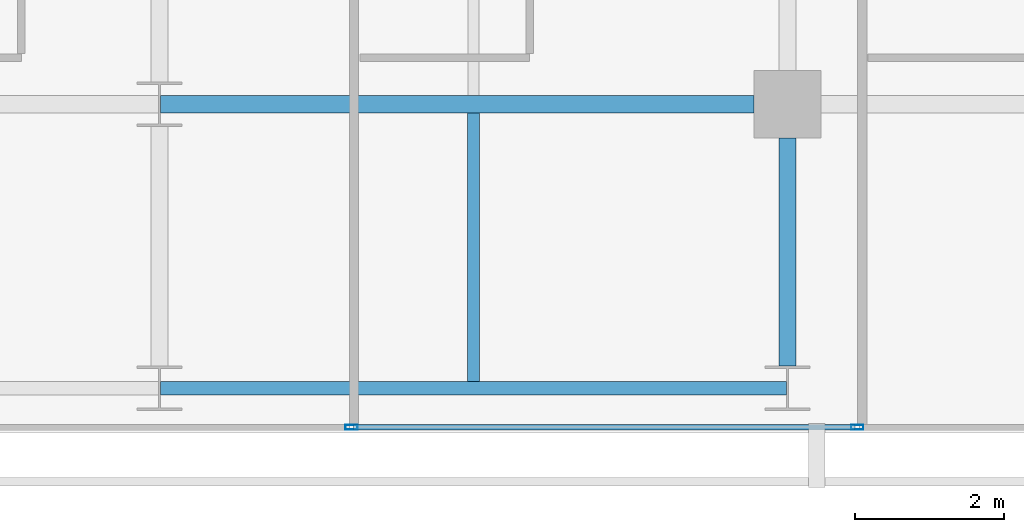
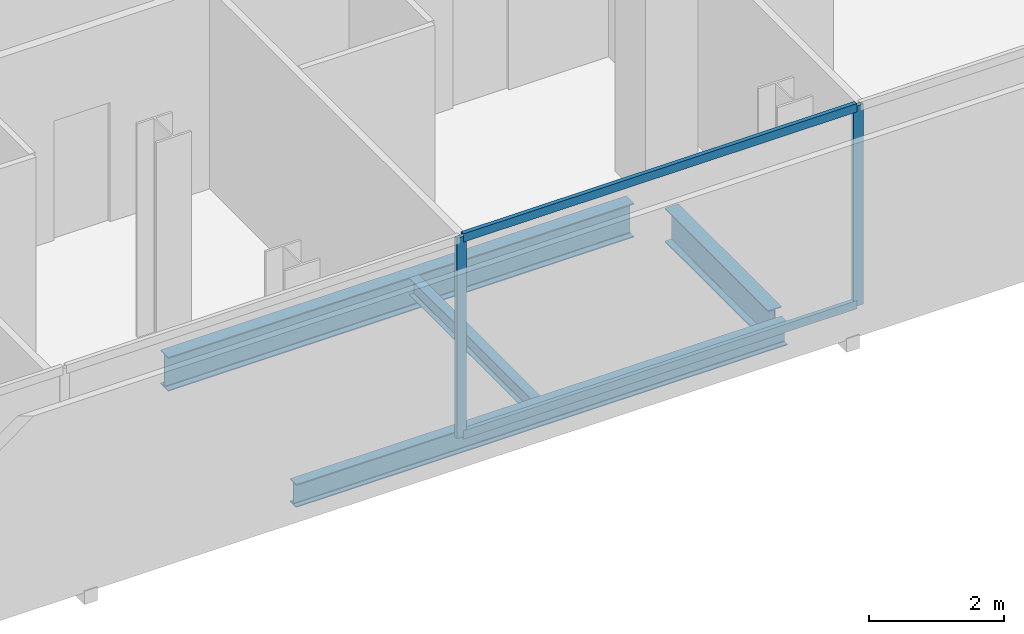
# One storey, part 12 of 33: 4 beams, 4 members, 1 element without a shape of its own.
"""IFC4 building model written with IfcOpenShell, lengths in metres."""

from ifc_helpers import new_model, si_unit, direction, frame, origin, origin_2d, place, context, subcontext, project, spatial, hollow_rectangle, i_section, extrude, material, layer, layer_set, material_profile, profile_set, type_object, element, aggregate, save


model = new_model("IFC4")

# Units and contexts
model_context = context("Model", 3, precision=1e-05, world=origin(), true_north=direction((0.0, 1.0)))
body_context = subcontext(model_context, "Body", "Model", "MODEL_VIEW")
ifc_project = project(units=[si_unit("LENGTHUNIT", "METRE"), si_unit("AREAUNIT", "SQUARE_METRE"), si_unit("VOLUMEUNIT", "CUBIC_METRE"), si_unit("PLANEANGLEUNIT", "RADIAN"), si_unit("MASSUNIT", "GRAM", prefix="KILO")], contexts=[model_context])

# Site, building, storey
site_placement = place(None, origin())
site = spatial("IfcSite", under=ifc_project, at=site_placement, CompositionType="ELEMENT")
building_placement = place(site_placement, origin())
building = spatial("IfcBuilding", under=site, at=building_placement, Name="Maruvema Waterfront Hotel and Observation Tower", CompositionType="ELEMENT")
storey_placement = place(building_placement, frame((0.0, 0.0, 150.5)))
storey = spatial("IfcBuildingStorey", under=building, at=storey_placement, Name="L36", CompositionType="ELEMENT", Elevation=150.5)

# Curtain wall, members
ifc_material_1 = material(Name="Anodised bronze aluminium and solar-control low-E IGU", Category="aluminium")
ifc_layer = layer(ifc_material_1, 0.159912109375, Name="Zone 2 Amber Inner Thermal Curtain Wall System CW-03")
ifc_layer_set = layer_set([ifc_layer], Name="Anodised bronze aluminium and solar-control low-E IGU")
curtain_wall_type = type_object("IfcCurtainWallType", Name="Zone 2 Amber Inner Thermal Curtain Wall System CW-03", PredefinedType="USERDEFINED", material=ifc_layer_set)
curtain_wall_placement = place(storey_placement, origin())
curtain_wall = element("IfcCurtainWall", 1, at=curtain_wall_placement, inside=storey, type_object=curtain_wall_type, Name="L36 Curtain Wall CW-L36-S", ObjectType="UNITISED CURTAIN WALL", PredefinedType="USERDEFINED")
ifc_material_2 = material(Name="Anodised architectural bronze aluminium", Category="aluminium")
ifc_material_profile_1 = material_profile(ifc_material_2, hollow_rectangle(XDim=0.070068359375, YDim=0.14990234375, WallThickness=0.00390625, at=origin_2d()), Name="ALU-T70x150")
ifc_profile_set_1 = profile_set([ifc_material_profile_1], Name="Anodised architectural bronze aluminium")
member_type_1 = type_object("IfcMemberType", Name="Curtain Wall Horizontal Transom ALU-T70x150", PredefinedType="USERDEFINED", material=ifc_profile_set_1)
member_1_placement = place(storey_placement, frame((44.5966796875, 4.679931640625, 0.030029296875), z_axis=(1.0, 0.0, 0.0), x_axis=(0.0, 1.0, 0.0)))
member_1 = element("IfcMember", 2, at=member_1_placement, type_object=member_type_1, Name="CW-03 transom 5.1", ObjectType="TRANSOM", PredefinedType="USERDEFINED", context=body_context, shape_type="SweptSolid", body=[
    extrude(hollow_rectangle(XDim=0.070068359375, YDim=0.14990234375, WallThickness=0.00390625, at=origin_2d()), origin(), (0.0, 0.0, 1.0), 6.70654296875),
])
member_2_placement = place(storey_placement, frame((44.5966796875, 4.679931640625, 3.580078125), z_axis=(1.0, 0.0, 0.0), x_axis=(0.0, 1.0, 0.0)))
member_2 = element("IfcMember", 3, at=member_2_placement, type_object=member_type_1, Name="CW-03 transom 5.2", ObjectType="TRANSOM", PredefinedType="USERDEFINED", context=body_context, shape_type="SweptSolid", body=[
    extrude(hollow_rectangle(XDim=0.070068359375, YDim=0.14990234375, WallThickness=0.00390625, at=origin_2d()), origin(), (0.0, 0.0, 1.0), 6.70654296875),
])
ifc_material_3 = material(Name="Anodised architectural bronze aluminium", Category="aluminium")
ifc_material_profile_2 = material_profile(ifc_material_3, hollow_rectangle(XDim=0.06494140625, YDim=0.1650390625, WallThickness=0.00390625, at=origin_2d()), Name="ALU-M65x165")
ifc_profile_set_2 = profile_set([ifc_material_profile_2], Name="Anodised architectural bronze aluminium")
member_type_2 = type_object("IfcMemberType", Name="Curtain Wall Primary Mullion ALU-M65x165", PredefinedType="MULLION", material=ifc_profile_set_2)
member_3_placement = place(storey_placement, frame((44.566650390625, 4.679931640625, 0.0), z_axis=(0.0, 0.0, 1.0), x_axis=(0.0, 1.0, 0.0)))
member_3 = element("IfcMember", 4, at=member_3_placement, type_object=member_type_2, Name="CW-03 mullion 5", PredefinedType="MULLION", context=body_context, shape_type="SweptSolid", body=[
    extrude(hollow_rectangle(XDim=0.06494140625, YDim=0.1650390625, WallThickness=0.00390625, at=origin_2d()), origin(), (0.0, 0.0, 1.0), 3.610107421875),
])
member_4_placement = place(storey_placement, frame((51.333251953125, 4.679931640625, 0.0), z_axis=(0.0, 0.0, 1.0), x_axis=(0.0, 1.0, 0.0)))
member_4 = element("IfcMember", 5, at=member_4_placement, type_object=member_type_2, Name="CW-03 mullion 6", PredefinedType="MULLION", context=body_context, shape_type="SweptSolid", body=[
    extrude(hollow_rectangle(XDim=0.06494140625, YDim=0.1650390625, WallThickness=0.00390625, at=origin_2d()), origin(), (0.0, 0.0, 1.0), 3.610107421875),
])
aggregate(curtain_wall, [member_3, member_4, member_1, member_2])

# Beams
ifc_material_4 = material(Name="Steel ASTM A572 Grade 50", Category="steel")
ifc_material_profile_3 = material_profile(ifc_material_4, i_section(OverallWidth=0.180908203125, OverallDepth=0.4169921875, WebThickness=0.010986328125, FlangeThickness=0.018310546875, FilletRadius=0.014892578125, at=origin_2d()), Name="W410x85.0")
ifc_profile_set_3 = profile_set([ifc_material_profile_3], Name="Steel ASTM A572 Grade 50")
beam_type_1 = type_object("IfcBeamType", Name="Perimeter Spandrel Beam W410x85.0", PredefinedType="SPANDREL", material=ifc_profile_set_3)
beam_1_placement = place(storey_placement, frame((42.012451171875, 5.199951171875, -0.448486328125), z_axis=(1.0, 0.0, 0.0), x_axis=(0.0, 1.0, 0.0)))
element("IfcBeam", 6, at=beam_1_placement, inside=storey, type_object=beam_type_1, Name="L36 Floor Girder EW-03", PredefinedType="SPANDREL", context=body_context, shape_type="SweptSolid", body=[
    extrude(i_section(OverallWidth=0.180908203125, OverallDepth=0.4169921875, WebThickness=0.010986328125, FlangeThickness=0.018310546875, FilletRadius=0.014892578125, at=origin_2d()), origin(), (0.0, 0.0, 1.0), 8.375),
])
ifc_material_5 = material(Name="Steel ASTM A572 Grade 50", Category="steel")
ifc_material_profile_4 = material_profile(ifc_material_5, i_section(OverallWidth=0.22900390625, OverallDepth=0.612060546875, WebThickness=0.011962890625, FlangeThickness=0.01953125, FilletRadius=0.01806640625, at=origin_2d()), Name="W610x125.0")
ifc_profile_set_4 = profile_set([ifc_material_profile_4], Name="Steel ASTM A572 Grade 50")
beam_type_2 = type_object("IfcBeamType", Name="Primary Floor Girder W610x125.0", PredefinedType="BEAM", material=ifc_profile_set_4)
beam_2_placement = place(storey_placement, frame((42.012451171875, 9.0, -0.5458984375), z_axis=(1.0, 0.0, 0.0), x_axis=(0.0, 1.0, 0.0)))
element("IfcBeam", 7, at=beam_2_placement, inside=storey, type_object=beam_type_2, Name="L36 Floor Girder EW-08", PredefinedType="BEAM", context=body_context, shape_type="SweptSolid", body=[
    extrude(i_section(OverallWidth=0.22900390625, OverallDepth=0.612060546875, WebThickness=0.011962890625, FlangeThickness=0.01953125, FilletRadius=0.01806640625, at=origin_2d()), origin(), (0.0, 0.0, 1.0), 7.9375),
])
beam_3_placement = place(storey_placement, frame((50.39990234375, 5.5, -0.5458984375), z_axis=(0.0, 1.0, 0.0), x_axis=(-1.0, 0.0, 0.0)))
element("IfcBeam", 8, at=beam_3_placement, inside=storey, type_object=beam_type_2, Name="L36 Floor Girder NS-20", PredefinedType="BEAM", context=body_context, shape_type="SweptSolid", body=[
    extrude(i_section(OverallWidth=0.22900390625, OverallDepth=0.612060546875, WebThickness=0.011962890625, FlangeThickness=0.01953125, FilletRadius=0.01806640625, at=origin_2d()), origin(), (0.0, 0.0, 1.0), 3.050048828125),
])
ifc_material_6 = material(Name="Steel ASTM A572 Grade 50", Category="steel")
ifc_material_profile_5 = material_profile(ifc_material_6, i_section(OverallWidth=0.1650390625, OverallDepth=0.31005859375, WebThickness=0.005859375, FlangeThickness=0.009765625, FilletRadius=0.012939453125, at=origin_2d()), Name="W310x38.7")
ifc_profile_set_5 = profile_set([ifc_material_profile_5], Name="Steel ASTM A572 Grade 50")
beam_type_3 = type_object("IfcBeamType", Name="Secondary Floor Joist W310x38.7", PredefinedType="JOIST", material=ifc_profile_set_5)
beam_4_placement = place(storey_placement, frame((46.199951171875, 5.29052734375, -0.39501953125), z_axis=(0.0, 1.0, 0.0), x_axis=(-1.0, 0.0, 0.0)))
element("IfcBeam", 9, at=beam_4_placement, inside=storey, type_object=beam_type_3, Name="L36 Secondary Floor Joist JS-09", PredefinedType="JOIST", context=body_context, shape_type="SweptSolid", body=[
    extrude(i_section(OverallWidth=0.1650390625, OverallDepth=0.31005859375, WebThickness=0.005859375, FlangeThickness=0.009765625, FilletRadius=0.012939453125, at=origin_2d()), origin(), (0.0, 0.0, 1.0), 3.594970703125),
])

save(model, "model.ifc")
